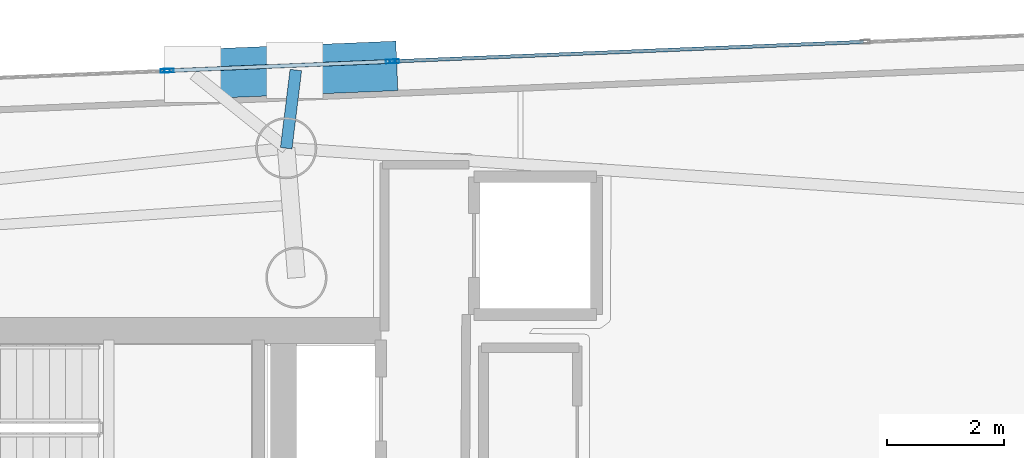
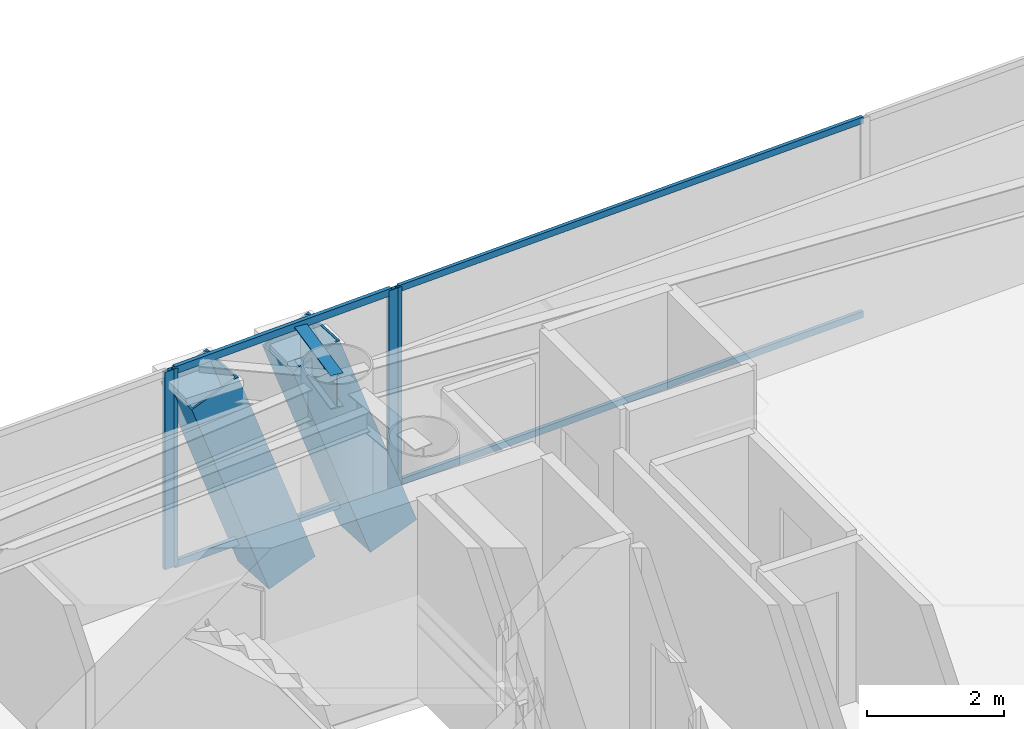
# One storey, part 11 of 19: 10 members, 1 beam, 3 elements without a shape of their own.
"""IFC4 building model written with IfcOpenShell, lengths in metres."""

from ifc_helpers import new_model, si_unit, direction, frame, origin, origin_2d, place, context, subcontext, project, spatial, hollow_rectangle, i_section, extrude, material, layer, layer_set, material_profile, profile_set, type_object, element, aggregate, save


model = new_model("IFC4")

# Units and contexts
model_context = context("Model", 3, precision=1e-05, world=origin(), true_north=direction((0.0, 1.0)))
body_context = subcontext(model_context, "Body", "Model", "MODEL_VIEW")
ifc_project = project(units=[si_unit("LENGTHUNIT", "METRE"), si_unit("AREAUNIT", "SQUARE_METRE"), si_unit("VOLUMEUNIT", "CUBIC_METRE"), si_unit("PLANEANGLEUNIT", "RADIAN"), si_unit("MASSUNIT", "GRAM", prefix="KILO")], contexts=[model_context])

# Site, building, storey
site_placement = place(None, origin())
site = spatial("IfcSite", under=ifc_project, at=site_placement, CompositionType="ELEMENT")
building_placement = place(site_placement, origin())
building = spatial("IfcBuilding", under=site, at=building_placement, Name="Qianvela Tower", CompositionType="ELEMENT")
storey_placement = place(building_placement, frame((0.0, 0.0, 261.199951171875)))
storey = spatial("IfcBuildingStorey", under=building, at=storey_placement, Name="L67", CompositionType="ELEMENT", Elevation=261.199951171875)

# Beam
ifc_material_1 = material(Name="Steel Q355B", Category="steel")
ifc_material_profile_1 = material_profile(ifc_material_1, i_section(OverallWidth=0.199951171875, OverallDepth=0.60009765625, WebThickness=0.010986328125, FlangeThickness=0.01708984375, at=origin_2d()), Name="HN600x200x11x17")
ifc_profile_set_1 = profile_set([ifc_material_profile_1], Name="Steel Q355B")
beam_type = type_object("IfcBeamType", Name="BM-HN600-GIRD", PredefinedType="BEAM", material=ifc_profile_set_1)
beam_placement = place(storey_placement, frame((38.22509765625, 35.77294921875, 3.218017578125), z_axis=(0.121966251128, 0.992534248067, 0.0), x_axis=(-0.992534248067, 0.121966251128, 0.0)))
element("IfcBeam", 1, at=beam_placement, inside=storey, type_object=beam_type, Name="L67 Mega-Brace Column Tie Bracket F1-1", PredefinedType="BEAM", context=body_context, shape_type="SweptSolid", body=[
    extrude(i_section(OverallWidth=0.199951171875, OverallDepth=0.60009765625, WebThickness=0.010986328125, FlangeThickness=0.01708984375, at=origin_2d()), origin(), (0.0, 0.0, 1.0), 1.35107421875),
])

# Curtain wall, members
ifc_material_2 = material(Name="Anodised Architectural Aluminium and Insulated Spandrel Panel", Category="aluminium")
ifc_layer_1 = layer(ifc_material_2, 0.179931640625)
ifc_layer_set_1 = layer_set([ifc_layer_1], Name="Anodised Architectural Aluminium and Insulated Spandrel Panel")
curtain_wall_type_1 = type_object("IfcCurtainWallType", Name="CW-BRACEBAY", PredefinedType="USERDEFINED", material=ifc_layer_set_1)
curtain_wall_1_placement = place(storey_placement, origin())
curtain_wall_1 = element("IfcCurtainWall", 2, at=curtain_wall_1_placement, inside=storey, type_object=curtain_wall_type_1, Name="L67 CW-BRACEBAY Curtain Wall 02B", ObjectType="CURTAIN_WALL_SYSTEM", PredefinedType="USERDEFINED")
ifc_material_3 = material(Name="Anodised Architectural Aluminium 6063-T6", Category="aluminium")
ifc_material_profile_2 = material_profile(ifc_material_3, hollow_rectangle(XDim=0.06494140625, YDim=0.159912109375, WallThickness=0.0048828125, at=origin_2d()), Name="ALU-MULL-65x160")
ifc_profile_set_2 = profile_set([ifc_material_profile_2], Name="Anodised Architectural Aluminium 6063-T6")
member_type_1 = type_object("IfcMemberType", Name="CW-BRACEBAY-MULL", PredefinedType="MULLION", material=ifc_profile_set_2)
member_1_placement = place(storey_placement, frame((40.0166015625, 37.261474609375, 0.0), z_axis=(0.0, 0.0, 1.0), x_axis=(0.041291982869, -0.999147122375, 0.0)))
member_1 = element("IfcMember", 3, at=member_1_placement, type_object=member_type_1, Name="CW-9 mullion 1", PredefinedType="MULLION", context=body_context, shape_type="SweptSolid", body=[
    extrude(hollow_rectangle(XDim=0.06494140625, YDim=0.159912109375, WallThickness=0.0048828125, at=origin_2d()), origin(), (0.0, 0.0, 1.0), 3.52001953125),
])
member_2_placement = place(storey_placement, frame((36.21484375, 37.104248046875, 0.0), z_axis=(0.0, 0.0, 1.0), x_axis=(0.041291982869, -0.999147122375, 0.0)))
member_2 = element("IfcMember", 4, at=member_2_placement, type_object=member_type_1, Name="CW-9 mullion 2", PredefinedType="MULLION", context=body_context, shape_type="SweptSolid", body=[
    extrude(hollow_rectangle(XDim=0.06494140625, YDim=0.159912109375, WallThickness=0.0048828125, at=origin_2d()), origin(), (0.0, 0.0, 1.0), 3.52001953125),
])
ifc_material_4 = material(Name="Anodised Architectural Aluminium 6063-T6", Category="aluminium")
ifc_material_profile_3 = material_profile(ifc_material_4, hollow_rectangle(XDim=0.06494140625, YDim=0.1298828125, WallThickness=0.00439453125, at=origin_2d()), Name="ALU-TRAN-65x130")
ifc_profile_set_3 = profile_set([ifc_material_profile_3], Name="Anodised Architectural Aluminium 6063-T6")
member_type_2 = type_object("IfcMemberType", Name="CW-BRACEBAY-TRAN", PredefinedType="USERDEFINED", material=ifc_profile_set_3)
member_3_placement = place(storey_placement, frame((39.984130859375, 37.260009765625, 0.032470703125), z_axis=(-0.99914592237, -0.041321009334, 0.0), x_axis=(0.041321009334, -0.99914592237, 0.0)))
member_3 = element("IfcMember", 5, at=member_3_placement, type_object=member_type_2, Name="CW-9 transom 1.1", ObjectType="TRANSOM", PredefinedType="USERDEFINED", context=body_context, shape_type="SweptSolid", body=[
    extrude(hollow_rectangle(XDim=0.06494140625, YDim=0.1298828125, WallThickness=0.00439453125, at=origin_2d()), origin(), (0.0, 0.0, 1.0), 3.739990234375),
])
member_4_placement = place(storey_placement, frame((39.984130859375, 37.260009765625, 3.487548828125), z_axis=(-0.99914592237, -0.041321009334, 0.0), x_axis=(0.041321009334, -0.99914592237, 0.0)))
member_4 = element("IfcMember", 6, at=member_4_placement, type_object=member_type_2, Name="CW-9 transom 1.2", ObjectType="TRANSOM", PredefinedType="USERDEFINED", context=body_context, shape_type="SweptSolid", body=[
    extrude(hollow_rectangle(XDim=0.06494140625, YDim=0.1298828125, WallThickness=0.00439453125, at=origin_2d()), origin(), (0.0, 0.0, 1.0), 3.739990234375),
])
aggregate(curtain_wall_1, [member_1, member_2, member_3, member_4])

# Curtain wall, member
ifc_material_5 = material(Name="Anodised Architectural Aluminium and Low-E Glass", Category="aluminium")
ifc_layer_2 = layer(ifc_material_5, 0.159912109375)
ifc_layer_set_2 = layer_set([ifc_layer_2], Name="Anodised Architectural Aluminium and Low-E Glass")
curtain_wall_type_2 = type_object("IfcCurtainWallType", Name="CW-COLIV-Z56", PredefinedType="USERDEFINED", material=ifc_layer_set_2)
curtain_wall_2_placement = place(storey_placement, origin())
curtain_wall_2 = element("IfcCurtainWall", 7, at=curtain_wall_2_placement, inside=storey, type_object=curtain_wall_type_2, Name="L67 CW-COLIV-Z56 Curtain Wall 02A", ObjectType="CURTAIN_WALL_SYSTEM", PredefinedType="USERDEFINED")
ifc_material_6 = material(Name="Anodised Architectural Aluminium 6063-T6", Category="aluminium")
ifc_material_profile_4 = material_profile(ifc_material_6, hollow_rectangle(XDim=0.06494140625, YDim=0.159912109375, WallThickness=0.0048828125, at=origin_2d()), Name="ALU-MULL-65x160")
ifc_profile_set_4 = profile_set([ifc_material_profile_4], Name="Anodised Architectural Aluminium 6063-T6")
member_type_3 = type_object("IfcMemberType", Name="CW-COLIV-Z56-MULL", PredefinedType="MULLION", material=ifc_profile_set_4)
member_5_placement = place(storey_placement, frame((40.08154296875, 37.26416015625, 0.0), z_axis=(0.0, 0.0, 1.0), x_axis=(0.041299373858, -0.999146816899, 0.0)))
member_5 = element("IfcMember", 8, at=member_5_placement, type_object=member_type_3, Name="CW-5 mullion 3", PredefinedType="MULLION", context=body_context, shape_type="SweptSolid", body=[
    extrude(hollow_rectangle(XDim=0.06494140625, YDim=0.159912109375, WallThickness=0.0048828125, at=origin_2d()), origin(), (0.0, 0.0, 1.0), 3.52001953125),
])

curtain_wall_3_placement = place(storey_placement, origin())
curtain_wall_3 = element("IfcCurtainWall", 9, at=curtain_wall_3_placement, inside=storey, type_object=curtain_wall_type_2, Name="L67 CW-COLIV-Z56 Curtain Wall 02C", ObjectType="CURTAIN_WALL_SYSTEM", PredefinedType="USERDEFINED")
member_6_placement = place(storey_placement, frame((36.14990234375, 37.1015625, 0.0), z_axis=(0.0, 0.0, 1.0), x_axis=(0.041299619949, -0.999146806727, 0.0)))
member_6 = element("IfcMember", 10, at=member_6_placement, type_object=member_type_3, Name="CW-5 mullion 1", PredefinedType="MULLION", context=body_context, shape_type="SweptSolid", body=[
    extrude(hollow_rectangle(XDim=0.06494140625, YDim=0.159912109375, WallThickness=0.0048828125, at=origin_2d()), origin(), (0.0, 0.0, 1.0), 3.52001953125),
])
aggregate(curtain_wall_3, [member_6])

# Member
ifc_material_7 = material(Name="Anodised Architectural Aluminium 6063-T6", Category="aluminium")
ifc_material_profile_5 = material_profile(ifc_material_7, hollow_rectangle(XDim=0.06005859375, YDim=0.114990234375, WallThickness=0.00390625, at=origin_2d()), Name="ALU-TRAN-60x115")
ifc_profile_set_5 = profile_set([ifc_material_profile_5], Name="Anodised Architectural Aluminium 6063-T6")
member_type_4 = type_object("IfcMemberType", Name="CW-COLIV-Z56-TRAN", PredefinedType="USERDEFINED", material=ifc_profile_set_5)
member_7_placement = place(storey_placement, frame((48.129638671875, 37.5966796875, 0.030029296875), z_axis=(-0.999146941084, -0.041296369367, 0.0), x_axis=(0.041296369367, -0.999146941084, 0.0)))
member_7 = element("IfcMember", 11, at=member_7_placement, type_object=member_type_4, Name="CW-5 transom 2.1", ObjectType="TRANSOM", PredefinedType="USERDEFINED", context=body_context, shape_type="SweptSolid", body=[
    extrude(hollow_rectangle(XDim=0.06005859375, YDim=0.114990234375, WallThickness=0.00390625, at=origin_2d()), origin(), (0.0, 0.0, 1.0), 8.0224609375),
])

member_8_placement = place(storey_placement, frame((48.129638671875, 37.5966796875, 3.489990234375), z_axis=(-0.999146941084, -0.041296369367, 0.0), x_axis=(0.041296369367, -0.999146941084, 0.0)))
member_8 = element("IfcMember", 12, at=member_8_placement, type_object=member_type_4, Name="CW-5 transom 2.2", ObjectType="TRANSOM", PredefinedType="USERDEFINED", context=body_context, shape_type="SweptSolid", body=[
    extrude(hollow_rectangle(XDim=0.06005859375, YDim=0.114990234375, WallThickness=0.00390625, at=origin_2d()), origin(), (0.0, 0.0, 1.0), 8.0224609375),
])

aggregate(curtain_wall_2, [member_5, member_7, member_8])

# Members
ifc_material_8 = material(Name="Steel Q420GJC", Category="steel")
ifc_material_profile_6 = material_profile(ifc_material_8, hollow_rectangle(XDim=0.85009765625, YDim=0.85009765625, WallThickness=0.031982421875, at=origin_2d()), Name="MBOX-850x850x32")
ifc_profile_set_6 = profile_set([ifc_material_profile_6], Name="Steel Q420GJC")
member_type_5 = type_object("IfcMemberType", Name="MBR-MBRACE-850", PredefinedType="BRACE", material=ifc_profile_set_6)
member_9_placement = place(storey_placement, frame((39.723876953125, 37.169189453125, -0.48193359375), z_axis=(-0.339136664556, -0.014027248571, 0.940632531359), x_axis=(0.041326304714, -0.999145703358, 0.0)))
element("IfcMember", 13, at=member_9_placement, inside=storey, type_object=member_type_5, Name="L67 Tier 11 Exterior Mega-Brace F1A", PredefinedType="BRACE", context=body_context, shape_type="SweptSolid", body=[
    extrude(hollow_rectangle(XDim=0.85009765625, YDim=0.85009765625, WallThickness=0.031982421875, at=origin_2d()), origin(), (0.0, 0.0, 1.0), 3.933349609375),
])
member_10_placement = place(storey_placement, frame((37.972900390625, 37.0966796875, -0.48193359375), z_axis=(-0.339191886332, -0.013964899254, 0.94061354755), x_axis=(0.041136239341, -0.999153546665, 0.0)))
element("IfcMember", 14, at=member_10_placement, inside=storey, type_object=member_type_5, Name="L67 Tier 11 Exterior Mega-Brace F1B", PredefinedType="BRACE", context=body_context, shape_type="SweptSolid", body=[
    extrude(hollow_rectangle(XDim=0.85009765625, YDim=0.85009765625, WallThickness=0.031982421875, at=origin_2d()), origin(), (0.0, 0.0, 1.0), 3.93359375),
])

save(model, "model.ifc")
